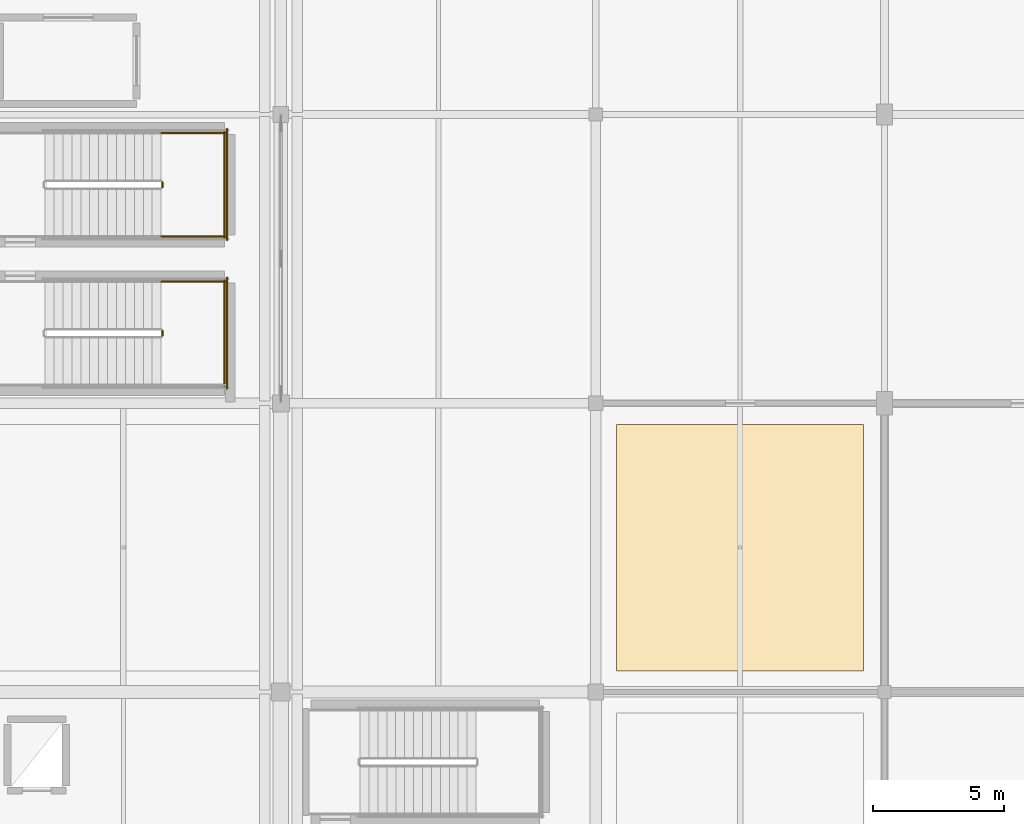
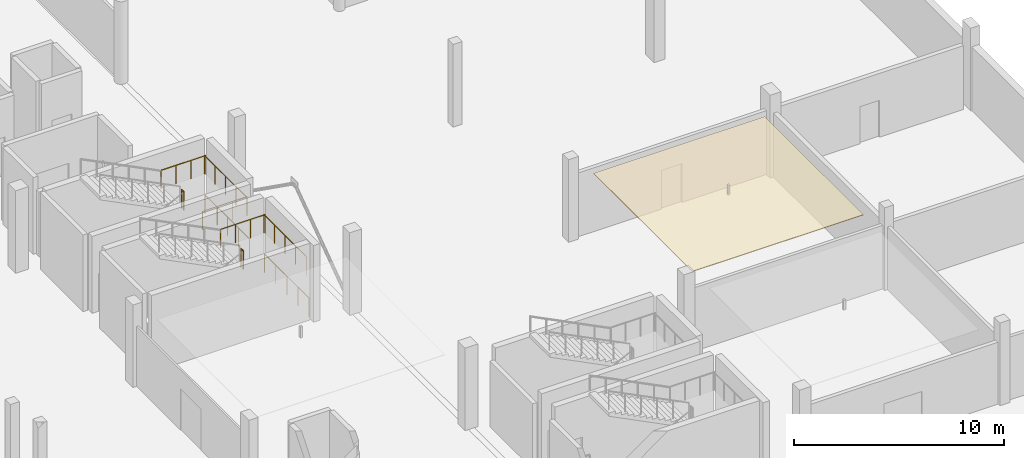
# One storey, part 141 of 143: 9 railings, 1 covering.
"""IFC4 building model written with IfcOpenShell, lengths in metres."""

from ifc_helpers import new_model, si_unit, direction, frame, origin, origin_2d, place, context, subcontext, project, spatial, polyline, circle, outline, extrude, material, layer, layer_set, type_object, element, save


model = new_model("IFC4")

# Units and contexts
model_context = context("Model", 3, precision=1e-05, world=origin(), true_north=direction((0.0, 1.0)))
body_context = subcontext(model_context, "Body", "Model", "MODEL_VIEW")
ifc_project = project(units=[si_unit("LENGTHUNIT", "METRE"), si_unit("AREAUNIT", "SQUARE_METRE"), si_unit("VOLUMEUNIT", "CUBIC_METRE"), si_unit("PLANEANGLEUNIT", "RADIAN"), si_unit("MASSUNIT", "GRAM", prefix="KILO")], contexts=[model_context])

# Site, building, storey
site_placement = place(None, origin())
site = spatial("IfcSite", under=ifc_project, at=site_placement, CompositionType="ELEMENT")
building_placement = place(site_placement, origin())
building = spatial("IfcBuilding", under=site, at=building_placement, Name="Luwafu Chhajja Arena", CompositionType="ELEMENT")
storey_placement = place(building_placement, frame((0.0, 0.0, 5.39990234375)))
storey = spatial("IfcBuildingStorey", under=building, at=storey_placement, Name="L01", CompositionType="ELEMENT", Elevation=5.39990234375)

# Covering
ifc_material_1 = material(Name="Acoustic gypsum ceiling board")
ifc_layer = layer(ifc_material_1, 0.0400390625, Name="Acoustic gypsum ceiling board")
ifc_layer_set = layer_set([ifc_layer], Name="Acoustic gypsum ceiling board")
covering_type = type_object("IfcCoveringType", Name="Perforated Acoustic Baffle Ceiling", PredefinedType="CEILING", material=ifc_layer_set)
covering_placement = place(storey_placement, frame((0.0, 0.0, 3.92138671875)))
element("IfcCovering", 1, at=covering_placement, inside=storey, type_object=covering_type, Name="L01 Acoustic Baffle Ceiling 040", PredefinedType="CEILING", context=body_context, shape_type="SweptSolid", body=[
    extrude(outline(polyline([(176.800048828125, 66.800048828125), (186.199951171875, 66.800048828125), (186.199951171875, 76.199951171875), (176.800048828125, 76.199951171875), (176.800048828125, 66.800048828125)])), origin(), (0.0, 0.0, 1.0), 0.0400390625),
])

# Railings
ifc_material_2 = material(Name="Stainless steel balustrade", Category="steel")
railing_type = type_object("IfcRailingType", Name="Stair and Terrace Guard Balustrade 1100", PredefinedType="BALUSTRADE", material=ifc_material_2)
railing_1_placement = place(storey_placement, frame((159.489990234375, 79.570068359375, 2.400146484375)))
element("IfcRailing", 2, at=railing_1_placement, inside=storey, type_object=railing_type, Name="L01 ST-07 stair guard 2", PredefinedType="BALUSTRADE", context=body_context, shape_type="SweptSolid", body=[
    extrude(circle(Radius=0.02392578125, at=origin_2d()), frame((0.0, 0.0, 1.076171875), z_axis=(0.0, 1.0, 0.0), x_axis=(-1.0, 0.0, 0.0)), (0.0, 0.0, 1.0), 0.199951171875),
    extrude(circle(Radius=0.02099609375, at=origin_2d()), origin(), (0.0, 0.0, 1.0), 1.052001953125),
    extrude(circle(Radius=0.02099609375, at=origin_2d()), frame((0.0, 0.199951171875, 0.0)), (0.0, 0.0, 1.0), 1.052001953125),
])
railing_2_placement = place(storey_placement, frame((159.43994140625, 81.639892578125, 2.400146484375)))
element("IfcRailing", 3, at=railing_2_placement, inside=storey, type_object=railing_type, Name="L01 ST-07 stair guard 4", PredefinedType="BALUSTRADE", context=body_context, shape_type="SweptSolid", body=[
    extrude(circle(Radius=0.02392578125, at=origin_2d()), frame((0.0, 0.0, 1.076171875), z_axis=(1.0, 0.0, 0.0), x_axis=(0.0, 1.0, 0.0)), (0.0, 0.0, 1.0), 2.4599609375),
    extrude(circle(Radius=0.02099609375, at=origin_2d()), origin(), (0.0, 0.0, 1.0), 1.052001953125),
    extrude(circle(Radius=0.02099609375, at=origin_2d()), frame((0.820068359375, 0.0, 0.0)), (0.0, 0.0, 1.0), 1.052001953125),
    extrude(circle(Radius=0.02099609375, at=origin_2d()), frame((1.639892578125, 0.0, 0.0)), (0.0, 0.0, 1.0), 1.052001953125),
    extrude(circle(Radius=0.02099609375, at=origin_2d()), frame((2.4599609375, 0.0, 0.0)), (0.0, 0.0, 1.0), 1.052001953125),
])
railing_3_placement = place(storey_placement, frame((161.85009765625, 77.64990234375, 2.400146484375)))
element("IfcRailing", 4, at=railing_3_placement, inside=storey, type_object=railing_type, Name="L01 ST-07 stair guard 5", PredefinedType="BALUSTRADE", context=body_context, shape_type="SweptSolid", body=[
    extrude(circle(Radius=0.02392578125, at=origin_2d()), frame((0.0, 0.0, 1.076171875), z_axis=(0.0, 1.0, 0.0), x_axis=(-1.0, 0.0, 0.0)), (0.0, 0.0, 1.0), 4.0400390625),
    extrude(circle(Radius=0.02099609375, at=origin_2d()), origin(), (0.0, 0.0, 1.0), 1.052001953125),
    extrude(circle(Radius=0.02099609375, at=origin_2d()), frame((0.0, 1.010009765625, 0.0)), (0.0, 0.0, 1.0), 1.052001953125),
    extrude(circle(Radius=0.02099609375, at=origin_2d()), frame((0.0, 2.02001953125, 0.0)), (0.0, 0.0, 1.0), 1.052001953125),
    extrude(circle(Radius=0.02099609375, at=origin_2d()), frame((0.0, 3.030029296875, 0.0)), (0.0, 0.0, 1.0), 1.052001953125),
    extrude(circle(Radius=0.02099609375, at=origin_2d()), frame((0.0, 4.0400390625, 0.0)), (0.0, 0.0, 1.0), 1.052001953125),
])
railing_4_placement = place(storey_placement, frame((161.949951171875, 77.550048828125, 0.0)))
element("IfcRailing", 5, at=railing_4_placement, inside=storey, type_object=railing_type, Name="L01 ST-07 stair guard 12", PredefinedType="BALUSTRADE", context=body_context, shape_type="SweptSolid", body=[
    extrude(circle(Radius=0.02392578125, at=origin_2d()), frame((0.0, 0.0, 1.076171875), z_axis=(0.0, 1.0, 0.0), x_axis=(-1.0, 0.0, 0.0)), (0.0, 0.0, 1.0), 4.239990234375),
    extrude(circle(Radius=0.02099609375, at=origin_2d()), origin(), (0.0, 0.0, 1.0), 1.052001953125),
    extrude(circle(Radius=0.02099609375, at=origin_2d()), frame((0.0, 1.06005859375, 0.0)), (0.0, 0.0, 1.0), 1.052001953125),
    extrude(circle(Radius=0.02099609375, at=origin_2d()), frame((0.0, 2.1201171875, 0.0)), (0.0, 0.0, 1.0), 1.052001953125),
    extrude(circle(Radius=0.02099609375, at=origin_2d()), frame((0.0, 3.179931640625, 0.0)), (0.0, 0.0, 1.0), 1.052001953125),
    extrude(circle(Radius=0.02099609375, at=origin_2d()), frame((0.0, 4.239990234375, 0.0)), (0.0, 0.0, 1.0), 1.052001953125),
])
railing_5_placement = place(storey_placement, frame((159.489990234375, 85.22998046875, 2.400146484375)))
element("IfcRailing", 6, at=railing_5_placement, inside=storey, type_object=railing_type, Name="L01 ST-08 stair guard 2", PredefinedType="BALUSTRADE", context=body_context, shape_type="SweptSolid", body=[
    extrude(circle(Radius=0.02392578125, at=origin_2d()), frame((0.0, 0.0, 1.076171875), z_axis=(0.0, 1.0, 0.0), x_axis=(-1.0, 0.0, 0.0)), (0.0, 0.0, 1.0), 0.199951171875),
    extrude(circle(Radius=0.02099609375, at=origin_2d()), origin(), (0.0, 0.0, 1.0), 1.052001953125),
    extrude(circle(Radius=0.02099609375, at=origin_2d()), frame((0.0, 0.199951171875, 0.0)), (0.0, 0.0, 1.0), 1.052001953125),
])
for number, where, name in (
    (7, (159.43994140625, 83.360107421875, 2.400146484375), "L01 ST-08 stair guard 3"),
    (8, (159.43994140625, 87.300048828125, 2.400146484375), "L01 ST-08 stair guard 4"),
):
    element("IfcRailing", number, at=place(storey_placement, frame(where)), inside=storey, type_object=railing_type, Name=name, PredefinedType="BALUSTRADE", context=body_context, shape_type="SweptSolid", body=[
        extrude(circle(Radius=0.02392578125, at=origin_2d()), frame((0.0, 0.0, 1.076171875), z_axis=(1.0, 0.0, 0.0), x_axis=(0.0, 1.0, 0.0)), (0.0, 0.0, 1.0), 2.4599609375),
        extrude(circle(Radius=0.02099609375, at=origin_2d()), origin(), (0.0, 0.0, 1.0), 1.052001953125),
        extrude(circle(Radius=0.02099609375, at=origin_2d()), frame((0.820068359375, 0.0, 0.0)), (0.0, 0.0, 1.0), 1.052001953125),
        extrude(circle(Radius=0.02099609375, at=origin_2d()), frame((1.639892578125, 0.0, 0.0)), (0.0, 0.0, 1.0), 1.052001953125),
        extrude(circle(Radius=0.02099609375, at=origin_2d()), frame((2.4599609375, 0.0, 0.0)), (0.0, 0.0, 1.0), 1.052001953125),
    ])
railing_6_placement = place(storey_placement, frame((161.85009765625, 83.31005859375, 2.400146484375)))
element("IfcRailing", 9, at=railing_6_placement, inside=storey, type_object=railing_type, Name="L01 ST-08 stair guard 5", PredefinedType="BALUSTRADE", context=body_context, shape_type="SweptSolid", body=[
    extrude(circle(Radius=0.02392578125, at=origin_2d()), frame((0.0, 0.0, 1.076171875), z_axis=(0.0, 1.0, 0.0), x_axis=(-1.0, 0.0, 0.0)), (0.0, 0.0, 1.0), 4.0400390625),
    extrude(circle(Radius=0.02099609375, at=origin_2d()), origin(), (0.0, 0.0, 1.0), 1.052001953125),
    extrude(circle(Radius=0.02099609375, at=origin_2d()), frame((0.0, 1.010009765625, 0.0)), (0.0, 0.0, 1.0), 1.052001953125),
    extrude(circle(Radius=0.02099609375, at=origin_2d()), frame((0.0, 2.02001953125, 0.0)), (0.0, 0.0, 1.0), 1.052001953125),
    extrude(circle(Radius=0.02099609375, at=origin_2d()), frame((0.0, 3.030029296875, 0.0)), (0.0, 0.0, 1.0), 1.052001953125),
    extrude(circle(Radius=0.02099609375, at=origin_2d()), frame((0.0, 4.0400390625, 0.0)), (0.0, 0.0, 1.0), 1.052001953125),
])
railing_7_placement = place(storey_placement, frame((161.949951171875, 83.2099609375, 0.0)))
element("IfcRailing", 10, at=railing_7_placement, inside=storey, type_object=railing_type, Name="L01 ST-08 stair guard 12", PredefinedType="BALUSTRADE", context=body_context, shape_type="SweptSolid", body=[
    extrude(circle(Radius=0.02392578125, at=origin_2d()), frame((0.0, 0.0, 1.076171875), z_axis=(0.0, 1.0, 0.0), x_axis=(-1.0, 0.0, 0.0)), (0.0, 0.0, 1.0), 4.239990234375),
    extrude(circle(Radius=0.02099609375, at=origin_2d()), origin(), (0.0, 0.0, 1.0), 1.052001953125),
    extrude(circle(Radius=0.02099609375, at=origin_2d()), frame((0.0, 1.06005859375, 0.0)), (0.0, 0.0, 1.0), 1.052001953125),
    extrude(circle(Radius=0.02099609375, at=origin_2d()), frame((0.0, 2.1201171875, 0.0)), (0.0, 0.0, 1.0), 1.052001953125),
    extrude(circle(Radius=0.02099609375, at=origin_2d()), frame((0.0, 3.179931640625, 0.0)), (0.0, 0.0, 1.0), 1.052001953125),
    extrude(circle(Radius=0.02099609375, at=origin_2d()), frame((0.0, 4.239990234375, 0.0)), (0.0, 0.0, 1.0), 1.052001953125),
])

save(model, "model.ifc")
